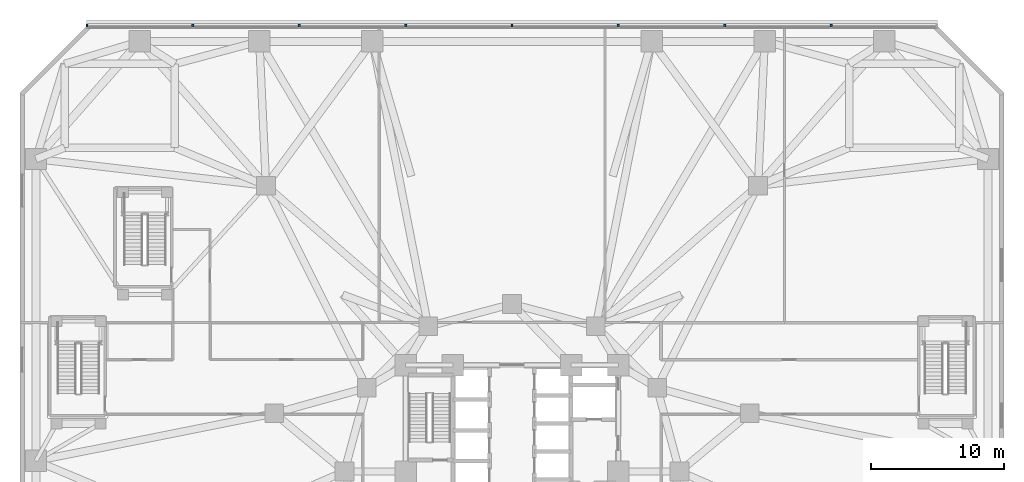
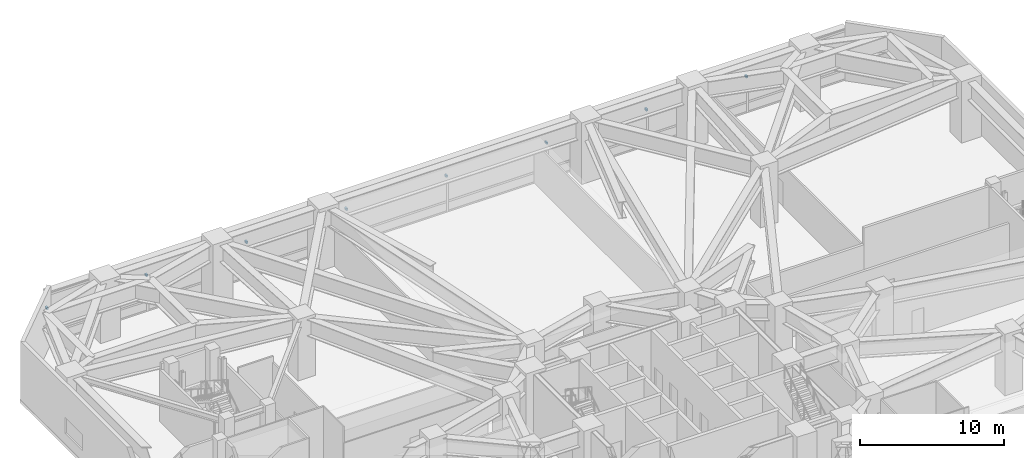
# One storey, part 20 of 27: 8 discrete accessories.
"""IFC4 building model written with IfcOpenShell, lengths in metres."""

from ifc_helpers import new_model, si_unit, direction, frame, origin, origin_2d, place, context, subcontext, project, spatial, rectangle, extrude, material, type_object, element, save


model = new_model("IFC4")

# Units and contexts
model_context = context("Model", 3, precision=1e-05, world=origin(), true_north=direction((0.0, 1.0)))
body_context = subcontext(model_context, "Body", "Model", "MODEL_VIEW")
ifc_project = project(units=[si_unit("LENGTHUNIT", "METRE"), si_unit("AREAUNIT", "SQUARE_METRE"), si_unit("VOLUMEUNIT", "CUBIC_METRE"), si_unit("PLANEANGLEUNIT", "RADIAN"), si_unit("MASSUNIT", "GRAM", prefix="KILO")], contexts=[model_context])

# Site, building, storey
site_placement = place(None, origin())
site = spatial("IfcSite", under=ifc_project, at=site_placement, CompositionType="ELEMENT")
building_placement = place(site_placement, origin())
building = spatial("IfcBuilding", under=site, at=building_placement, Name="Terralouvre Media Tower", CompositionType="ELEMENT")
storey_placement = place(building_placement, frame((0.0, 0.0, 20.800048828125)))
storey = spatial("IfcBuildingStorey", under=building, at=storey_placement, Name="L04", CompositionType="ELEMENT", Elevation=20.800048828125)

# Discrete accessories
ifc_material = material(Name="Anodised extruded aluminium 6063-T6", Category="aluminium")
discrete_accessory_type = type_object("IfcDiscreteAccessoryType", Name="Mullion Stand-Off Baguette Fixing Bracket BK-01", PredefinedType="BRACKET", material=ifc_material)
for number, where, z_axis, x_axis, name in (
    (1, (24.0, 33.52001953125, 2.8681640625), (0.0, 0.0, 1.0), (-1.0, 0.0, 0.0), "CW-L04-F4 Baguette Outrigger Bracket 1.02"),
    (2, (16.0, 33.52001953125, 2.8681640625), (0.0, 0.0, 1.0), (-1.0, 0.0, 0.0), "CW-L04-F4 Baguette Outrigger Bracket 1.03"),
    (3, (8.0, 33.52001953125, 2.8681640625), (0.0, 0.0, 1.0), (-1.0, 0.0, 0.0), "CW-L04-F4 Baguette Outrigger Bracket 1.04"),
    (4, (0.0, 33.52001953125, 2.8681640625), (0.0, 0.0, 1.0), (-1.0, 0.0, 0.0), "CW-L04-F4 Baguette Outrigger Bracket 1.05"),
    (5, (-8.0, 33.52001953125, 2.8681640625), (0.0, 0.0, 1.0), (-1.0, 0.0, 0.0), "CW-L04-F4 Baguette Outrigger Bracket 1.06"),
    (6, (-16.0, 33.52001953125, 2.8681640625), (0.0, 0.0, 1.0), (-1.0, 0.0, 0.0), "CW-L04-F4 Baguette Outrigger Bracket 1.07"),
    (7, (-24.0, 33.52001953125, 2.8681640625), (0.0, 0.0, 1.0), (-1.0, 0.0, 0.0), "CW-L04-F4 Baguette Outrigger Bracket 1.08"),
    (8, (-31.96240234375, 33.52001953125, 2.8681640625), (0.0, 0.0, 1.0), (-1.0, 0.0, 0.0), "CW-L04-F4 Baguette Outrigger Bracket 1.09"),
):
    element("IfcDiscreteAccessory", number, at=place(storey_placement, frame(where, z_axis=z_axis, x_axis=x_axis)), inside=storey, type_object=discrete_accessory_type, Name=name, PredefinedType="BRACKET", context=body_context, shape_type="SweptSolid", body=[
        extrude(rectangle(XDim=0.139892578125, YDim=0.239990234375, at=origin_2d()), origin(), (0.0, 0.0, 1.0), 0.179931640625),
    ])

save(model, "model.ifc")
